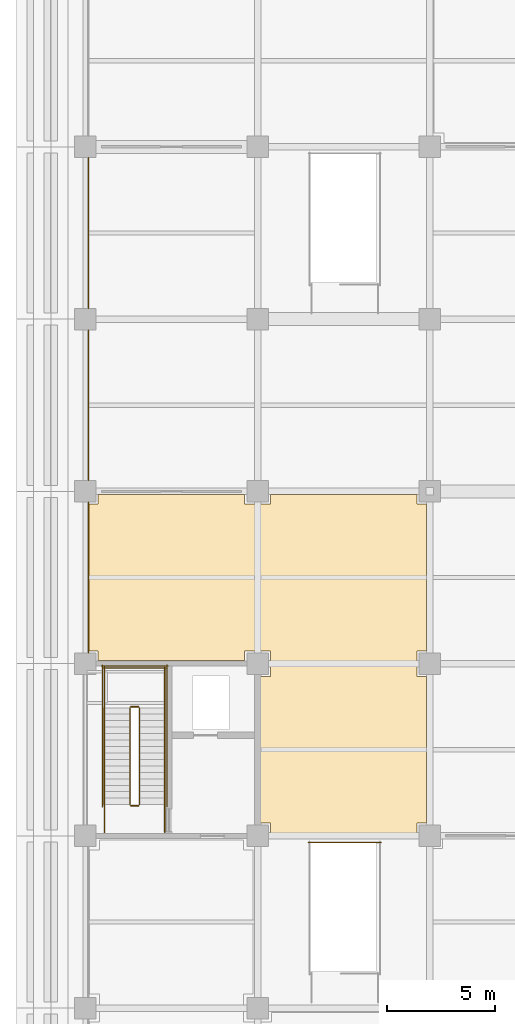
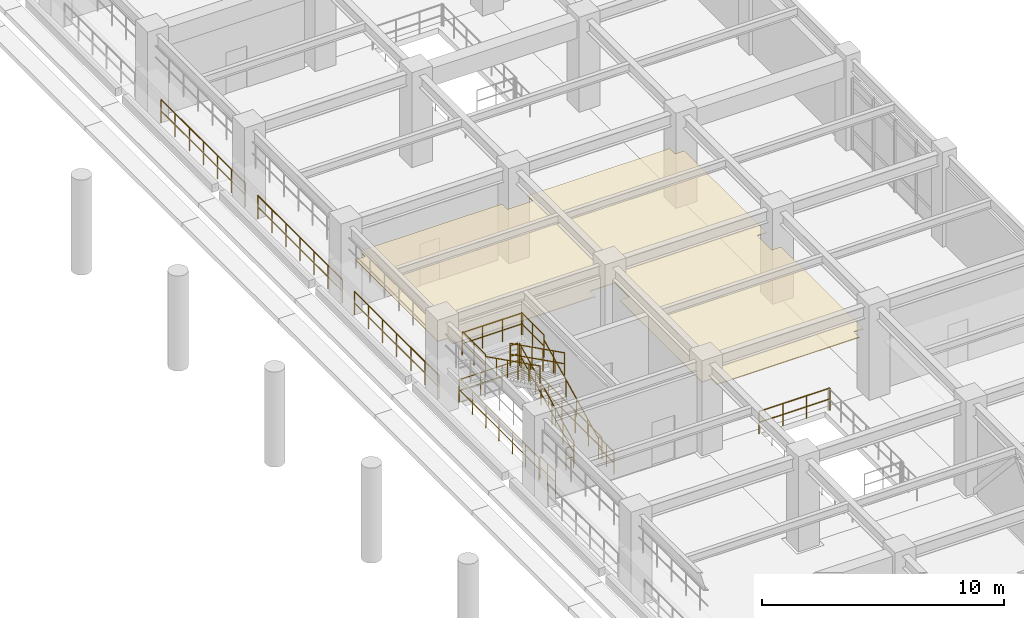
# One storey, part 108 of 117: 18 railings, 1 covering.
"""IFC4 building model written with IfcOpenShell, lengths in metres."""

from ifc_helpers import new_model, si_unit, direction, frame, origin, origin_2d, place, context, subcontext, project, spatial, polyline, circle, outline, extrude, material, layer, layer_set, type_object, element, save


model = new_model("IFC4")

# Units and contexts
model_context = context("Model", 3, precision=1e-05, world=origin(), true_north=direction((0.0, 1.0)))
body_context = subcontext(model_context, "Body", "Model", "MODEL_VIEW")
ifc_project = project(units=[si_unit("LENGTHUNIT", "METRE"), si_unit("AREAUNIT", "SQUARE_METRE"), si_unit("VOLUMEUNIT", "CUBIC_METRE"), si_unit("PLANEANGLEUNIT", "RADIAN"), si_unit("MASSUNIT", "GRAM", prefix="KILO")], contexts=[model_context])

# Site, building, storey
site_placement = place(None, origin())
site = spatial("IfcSite", under=ifc_project, at=site_placement, CompositionType="ELEMENT")
building_placement = place(site_placement, origin())
building = spatial("IfcBuilding", under=site, at=building_placement, Name="Haebicheon Civic Stadium", CompositionType="ELEMENT")
storey_placement = place(building_placement, frame((0.0, 0.0, 4.800048828125)))
storey = spatial("IfcBuildingStorey", under=building, at=storey_placement, Name="L02", CompositionType="ELEMENT", Elevation=4.800048828125)

# Covering
ifc_material_1 = material(Name="Perforated mineral-fibre acoustic board", Category="gypsum")
ifc_layer = layer(ifc_material_1, 0.0400390625, Name="Perforated mineral-fibre acoustic board")
ifc_layer_set = layer_set([ifc_layer], Name="Perforated mineral-fibre acoustic board")
covering_type = type_object("IfcCoveringType", Name="COV-CLG-AC", PredefinedType="CEILING", material=ifc_layer_set)
covering_placement = place(storey_placement, frame((0.0, 0.0, 2.81005859375)))
element("IfcCovering", 1, at=covering_placement, inside=storey, type_object=covering_type, material=ifc_layer_set, Name="L02 Food and Beverage Kiosk acoustic ceiling", PredefinedType="CEILING", context=body_context, shape_type="SweptSolid", body=[
    extrude(outline(polyline([(152.594970703125, 64.14501953125), (152.594970703125, 64.594970703125), (152.14501953125, 64.594970703125), (152.14501953125, 71.405029296875), (152.594970703125, 71.405029296875), (152.594970703125, 72.594970703125), (151.405029296875, 72.594970703125), (151.405029296875, 72.14501953125), (144.594970703125, 72.14501953125), (144.594970703125, 72.594970703125), (144.14501953125, 72.594970703125), (144.14501953125, 79.405029296875), (144.594970703125, 79.405029296875), (144.594970703125, 79.85498046875), (151.405029296875, 79.85498046875), (151.405029296875, 79.405029296875), (152.594970703125, 79.405029296875), (152.594970703125, 79.85498046875), (159.405029296875, 79.85498046875), (159.405029296875, 79.405029296875), (159.85498046875, 79.405029296875), (159.85498046875, 72.594970703125), (159.405029296875, 72.594970703125), (159.405029296875, 71.405029296875), (159.85498046875, 71.405029296875), (159.85498046875, 64.594970703125), (159.405029296875, 64.594970703125), (159.405029296875, 64.14501953125), (152.594970703125, 64.14501953125)])), origin(), (0.0, 0.0, 1.0), 0.039794921875),
])

# Railings
ifc_material_2 = material(Name="Stainless steel 316 and laminated glass", Category="steel")
railing_type_1 = type_object("IfcRailingType", Name="RL-BAL-1200", PredefinedType="BALUSTRADE", material=ifc_material_2)
for number, where, name in (
    (2, (144.139892578125, 72.5, 0.0), "L02 concourse bowl-edge balustrade 026"),
    (3, (144.139892578125, 80.5, 0.0), "L02 concourse bowl-edge balustrade 027"),
    (4, (144.139892578125, 88.5, 0.0), "L02 concourse bowl-edge balustrade 028"),
):
    element("IfcRailing", number, at=place(storey_placement, frame(where)), inside=storey, type_object=railing_type_1, material=ifc_material_2, Name=name, PredefinedType="BALUSTRADE", context=body_context, shape_type="SweptSolid", body=[
        extrude(circle(Radius=0.02392578125, at=origin_2d()), frame((0.0, 0.0, 1.17578125), z_axis=(0.0, 1.0, 0.0), x_axis=(-1.0, 0.0, 0.0)), (0.0, 0.0, 1.0), 7.0),
        extrude(circle(Radius=0.02392578125, at=origin_2d()), frame((0.0, 0.0, 0.60009765625), z_axis=(0.0, 1.0, 0.0), x_axis=(-1.0, 0.0, 0.0)), (0.0, 0.0, 1.0), 7.0),
        extrude(circle(Radius=0.02099609375, at=origin_2d()), origin(), (0.0, 0.0, 1.0), 1.15185546875),
        extrude(circle(Radius=0.02099609375, at=origin_2d()), frame((0.0, 1.166748046875, 0.0)), (0.0, 0.0, 1.0), 1.15185546875),
        extrude(circle(Radius=0.02099609375, at=origin_2d()), frame((0.0, 2.333251953125, 0.0)), (0.0, 0.0, 1.0), 1.15185546875),
        extrude(circle(Radius=0.02099609375, at=origin_2d()), frame((0.0, 3.5, 0.0)), (0.0, 0.0, 1.0), 1.15185546875),
        extrude(circle(Radius=0.02099609375, at=origin_2d()), frame((0.0, 4.666748046875, 0.0)), (0.0, 0.0, 1.0), 1.15185546875),
        extrude(circle(Radius=0.02099609375, at=origin_2d()), frame((0.0, 5.833251953125, 0.0)), (0.0, 0.0, 1.0), 1.15185546875),
        extrude(circle(Radius=0.02099609375, at=origin_2d()), frame((0.0, 7.0, 0.0)), (0.0, 0.0, 1.0), 1.15185546875),
    ])
ifc_material_3 = material(Name="Galvanised painted steel SM355", Category="steel")
railing_type_2 = type_object("IfcRailingType", Name="RL-GRD-1150", PredefinedType="GUARDRAIL", material=ifc_material_3)
railing_1_placement = place(storey_placement, frame((146.510009765625, 65.449951171875, 0.14990234375)))
element("IfcRailing", 5, at=railing_1_placement, inside=storey, type_object=railing_type_2, material=ifc_material_3, Name="L02 ST-10 stair guard 1", PredefinedType="GUARDRAIL", context=body_context, shape_type="SweptSolid", body=[
    extrude(circle(Radius=0.02392578125, at=origin_2d()), frame((0.0, 0.0, 1.1259765625), z_axis=(0.0, 0.894427191, 0.4472135955), x_axis=(-1.0, 0.0, 0.0)), (0.0, 0.0, 1.0), 5.03125),
    extrude(circle(Radius=0.02392578125, at=origin_2d()), frame((0.0, 0.0, 0.574951171875), z_axis=(0.0, 0.894427191, 0.4472135955), x_axis=(-1.0, 0.0, 0.0)), (0.0, 0.0, 1.0), 5.03125),
    extrude(circle(Radius=0.02099609375, at=origin_2d()), origin(), (0.0, 0.0, 1.0), 1.101806640625),
    extrude(circle(Radius=0.02099609375, at=origin_2d()), frame((0.0, 0.89990234375, 0.449951171875)), (0.0, 0.0, 1.0), 1.101806640625),
    extrude(circle(Radius=0.02099609375, at=origin_2d()), frame((0.0, 1.800048828125, 0.89990234375)), (0.0, 0.0, 1.0), 1.101806640625),
    extrude(circle(Radius=0.02099609375, at=origin_2d()), frame((0.0, 2.699951171875, 1.35009765625)), (0.0, 0.0, 1.0), 1.101806640625),
    extrude(circle(Radius=0.02099609375, at=origin_2d()), frame((0.0, 3.60009765625, 1.800048828125)), (0.0, 0.0, 1.0), 1.101806640625),
    extrude(circle(Radius=0.02099609375, at=origin_2d()), frame((0.0, 4.5, 2.25)), (0.0, 0.0, 1.0), 1.101806640625),
])
railing_2_placement = place(storey_placement, frame((146.4599609375, 70.0, 2.39990234375)))
element("IfcRailing", 6, at=railing_2_placement, inside=storey, type_object=railing_type_2, material=ifc_material_3, Name="L02 ST-10 stair guard 2", PredefinedType="GUARDRAIL", context=body_context, shape_type="SweptSolid", body=[
    extrude(circle(Radius=0.02392578125, at=origin_2d()), frame((0.0, 0.0, 1.1259765625), z_axis=(-1.0, 0.0, 0.0), x_axis=(0.0, -1.0, 0.0)), (0.0, 0.0, 1.0), 0.33984375),
    extrude(circle(Radius=0.02392578125, at=origin_2d()), frame((0.0, 0.0, 0.574951171875), z_axis=(-1.0, 0.0, 0.0), x_axis=(0.0, -1.0, 0.0)), (0.0, 0.0, 1.0), 0.33984375),
    extrude(circle(Radius=0.02099609375, at=origin_2d()), origin(), (0.0, 0.0, 1.0), 1.101806640625),
    extrude(circle(Radius=0.02099609375, at=origin_2d()), frame((-0.33984375, 0.0, 0.0)), (0.0, 0.0, 1.0), 1.101806640625),
])
for number, where, name in (
    (7, (147.68994140625, 69.949951171875, 2.39990234375), "L02 ST-10 stair guard 3"),
    (8, (144.889892578125, 69.949951171875, 2.39990234375), "L02 ST-10 stair guard 4"),
):
    element("IfcRailing", number, at=place(storey_placement, frame(where)), inside=storey, type_object=railing_type_2, material=ifc_material_3, Name=name, PredefinedType="GUARDRAIL", context=body_context, shape_type="SweptSolid", body=[
        extrude(circle(Radius=0.02392578125, at=origin_2d()), frame((0.0, 0.0, 1.1259765625), z_axis=(0.0, 1.0, 0.0), x_axis=(-1.0, 0.0, 0.0)), (0.0, 0.0, 1.0), 1.89013671875),
        extrude(circle(Radius=0.02392578125, at=origin_2d()), frame((0.0, 0.0, 0.574951171875), z_axis=(0.0, 1.0, 0.0), x_axis=(-1.0, 0.0, 0.0)), (0.0, 0.0, 1.0), 1.89013671875),
        extrude(circle(Radius=0.02099609375, at=origin_2d()), origin(), (0.0, 0.0, 1.0), 1.101806640625),
        extrude(circle(Radius=0.02099609375, at=origin_2d()), frame((0.0, 0.945068359375, 0.0)), (0.0, 0.0, 1.0), 1.101806640625),
        extrude(circle(Radius=0.02099609375, at=origin_2d()), frame((0.0, 1.89013671875, 0.0)), (0.0, 0.0, 1.0), 1.101806640625),
    ])
railing_3_placement = place(storey_placement, frame((147.739990234375, 71.7900390625, 2.39990234375)))
element("IfcRailing", 9, at=railing_3_placement, inside=storey, type_object=railing_type_2, material=ifc_material_3, Name="L02 ST-10 stair guard 5", PredefinedType="GUARDRAIL", context=body_context, shape_type="SweptSolid", body=[
    extrude(circle(Radius=0.02392578125, at=origin_2d()), frame((0.0, 0.0, 1.1259765625), z_axis=(-1.0, 0.0, 0.0), x_axis=(0.0, -1.0, 0.0)), (0.0, 0.0, 1.0), 2.89990234375),
    extrude(circle(Radius=0.02392578125, at=origin_2d()), frame((0.0, 0.0, 0.574951171875), z_axis=(-1.0, 0.0, 0.0), x_axis=(0.0, -1.0, 0.0)), (0.0, 0.0, 1.0), 2.89990234375),
    extrude(circle(Radius=0.02099609375, at=origin_2d()), origin(), (0.0, 0.0, 1.0), 1.101806640625),
    extrude(circle(Radius=0.02099609375, at=origin_2d()), frame((-0.966552734375, 0.0, 0.0)), (0.0, 0.0, 1.0), 1.101806640625),
    extrude(circle(Radius=0.02099609375, at=origin_2d()), frame((-1.933349609375, 0.0, 0.0)), (0.0, 0.0, 1.0), 1.101806640625),
    extrude(circle(Radius=0.02099609375, at=origin_2d()), frame((-2.89990234375, 0.0, 0.0)), (0.0, 0.0, 1.0), 1.101806640625),
])
railing_4_placement = place(storey_placement, frame((146.070068359375, 69.949951171875, 2.550048828125)))
element("IfcRailing", 10, at=railing_4_placement, inside=storey, type_object=railing_type_2, material=ifc_material_3, Name="L02 ST-10 stair guard 6", PredefinedType="GUARDRAIL", context=body_context, shape_type="SweptSolid", body=[
    extrude(circle(Radius=0.02392578125, at=origin_2d()), frame((0.0, 0.0, 1.1259765625), z_axis=(0.0, -0.894427191, 0.4472135955), x_axis=(1.0, 0.0, 0.0)), (0.0, 0.0, 1.0), 5.03125),
    extrude(circle(Radius=0.02392578125, at=origin_2d()), frame((0.0, 0.0, 0.574951171875), z_axis=(0.0, -0.894427191, 0.4472135955), x_axis=(1.0, 0.0, 0.0)), (0.0, 0.0, 1.0), 5.03125),
    extrude(circle(Radius=0.02099609375, at=origin_2d()), origin(), (0.0, 0.0, 1.0), 1.101806640625),
    extrude(circle(Radius=0.02099609375, at=origin_2d()), frame((0.0, -0.89990234375, 0.449951171875)), (0.0, 0.0, 1.0), 1.101806640625),
    extrude(circle(Radius=0.02099609375, at=origin_2d()), frame((0.0, -1.800048828125, 0.89990234375)), (0.0, 0.0, 1.0), 1.101806640625),
    extrude(circle(Radius=0.02099609375, at=origin_2d()), frame((0.0, -2.699951171875, 1.35009765625)), (0.0, 0.0, 1.0), 1.101806640625),
    extrude(circle(Radius=0.02099609375, at=origin_2d()), frame((0.0, -3.60009765625, 1.800048828125)), (0.0, 0.0, 1.0), 1.101806640625),
    extrude(circle(Radius=0.02099609375, at=origin_2d()), frame((0.0, -4.5, 2.25)), (0.0, 0.0, 1.0), 1.101806640625),
])
railing_5_placement = place(storey_placement, frame((146.4599609375, 65.39990234375, 0.0)))
element("IfcRailing", 11, at=railing_5_placement, inside=storey, type_object=railing_type_2, material=ifc_material_3, Name="L02 ST-10 stair guard 7", PredefinedType="GUARDRAIL", context=body_context, shape_type="SweptSolid", body=[
    extrude(circle(Radius=0.02392578125, at=origin_2d()), frame((0.0, 0.0, 1.1259765625), z_axis=(-1.0, 0.0, 0.0), x_axis=(0.0, -1.0, 0.0)), (0.0, 0.0, 1.0), 0.33984375),
    extrude(circle(Radius=0.02392578125, at=origin_2d()), frame((0.0, 0.0, 0.574951171875), z_axis=(-1.0, 0.0, 0.0), x_axis=(0.0, -1.0, 0.0)), (0.0, 0.0, 1.0), 0.33984375),
    extrude(circle(Radius=0.02099609375, at=origin_2d()), origin(), (0.0, 0.0, 1.0), 1.101806640625),
    extrude(circle(Radius=0.02099609375, at=origin_2d()), frame((-0.33984375, 0.0, 0.0)), (0.0, 0.0, 1.0), 1.101806640625),
])
for number, where, name in (
    (12, (147.68994140625, 64.159912109375, 0.0), "L02 ST-10 stair guard 8"),
    (13, (144.889892578125, 64.159912109375, 0.0), "L02 ST-10 stair guard 9"),
):
    element("IfcRailing", number, at=place(storey_placement, frame(where)), inside=storey, type_object=railing_type_2, material=ifc_material_3, Name=name, PredefinedType="GUARDRAIL", context=body_context, shape_type="SweptSolid", body=[
        extrude(circle(Radius=0.02392578125, at=origin_2d()), frame((0.0, 0.0, 1.1259765625), z_axis=(0.0, 1.0, 0.0), x_axis=(-1.0, 0.0, 0.0)), (0.0, 0.0, 1.0), 1.2900390625),
        extrude(circle(Radius=0.02392578125, at=origin_2d()), frame((0.0, 0.0, 0.574951171875), z_axis=(0.0, 1.0, 0.0), x_axis=(-1.0, 0.0, 0.0)), (0.0, 0.0, 1.0), 1.2900390625),
        extrude(circle(Radius=0.02099609375, at=origin_2d()), origin(), (0.0, 0.0, 1.0), 1.101806640625),
        extrude(circle(Radius=0.02099609375, at=origin_2d()), frame((0.0, 0.64501953125, 0.0)), (0.0, 0.0, 1.0), 1.101806640625),
        extrude(circle(Radius=0.02099609375, at=origin_2d()), frame((0.0, 1.2900390625, 0.0)), (0.0, 0.0, 1.0), 1.101806640625),
    ])
for number, where, name in (
    (14, (147.7900390625, 65.35009765625, 0.0), "L02 ST-10 stair guard 10"),
    (15, (144.7900390625, 65.35009765625, 0.0), "L02 ST-10 stair guard 11"),
):
    element("IfcRailing", number, at=place(storey_placement, frame(where)), inside=storey, type_object=railing_type_2, material=ifc_material_3, Name=name, PredefinedType="GUARDRAIL", context=body_context, shape_type="SweptSolid", body=[
        extrude(circle(Radius=0.02392578125, at=origin_2d()), frame((0.0, 0.0, 1.1259765625), z_axis=(0.0, 1.0, 0.0), x_axis=(-1.0, 0.0, 0.0)), (0.0, 0.0, 1.0), 6.58984375),
        extrude(circle(Radius=0.02392578125, at=origin_2d()), frame((0.0, 0.0, 0.574951171875), z_axis=(0.0, 1.0, 0.0), x_axis=(-1.0, 0.0, 0.0)), (0.0, 0.0, 1.0), 6.58984375),
        extrude(circle(Radius=0.02099609375, at=origin_2d()), origin(), (0.0, 0.0, 1.0), 1.101806640625),
        extrude(circle(Radius=0.02099609375, at=origin_2d()), frame((0.0, 1.098388671875, 0.0)), (0.0, 0.0, 1.0), 1.101806640625),
        extrude(circle(Radius=0.02099609375, at=origin_2d()), frame((0.0, 2.196533203125, 0.0)), (0.0, 0.0, 1.0), 1.101806640625),
        extrude(circle(Radius=0.02099609375, at=origin_2d()), frame((0.0, 3.294921875, 0.0)), (0.0, 0.0, 1.0), 1.101806640625),
        extrude(circle(Radius=0.02099609375, at=origin_2d()), frame((0.0, 4.393310546875, 0.0)), (0.0, 0.0, 1.0), 1.101806640625),
        extrude(circle(Radius=0.02099609375, at=origin_2d()), frame((0.0, 5.491455078125, 0.0)), (0.0, 0.0, 1.0), 1.101806640625),
        extrude(circle(Radius=0.02099609375, at=origin_2d()), frame((0.0, 6.58984375, 0.0)), (0.0, 0.0, 1.0), 1.101806640625),
    ])
railing_6_placement = place(storey_placement, frame((147.840087890625, 71.889892578125, 0.0)))
element("IfcRailing", 16, at=railing_6_placement, inside=storey, type_object=railing_type_2, material=ifc_material_3, Name="L02 ST-10 stair guard 12", PredefinedType="GUARDRAIL", context=body_context, shape_type="SweptSolid", body=[
    extrude(circle(Radius=0.02392578125, at=origin_2d()), frame((0.0, 0.0, 1.1259765625), z_axis=(-1.0, 0.0, 0.0), x_axis=(0.0, -1.0, 0.0)), (0.0, 0.0, 1.0), 3.10009765625),
    extrude(circle(Radius=0.02392578125, at=origin_2d()), frame((0.0, 0.0, 0.574951171875), z_axis=(-1.0, 0.0, 0.0), x_axis=(0.0, -1.0, 0.0)), (0.0, 0.0, 1.0), 3.10009765625),
    extrude(circle(Radius=0.02099609375, at=origin_2d()), origin(), (0.0, 0.0, 1.0), 1.101806640625),
    extrude(circle(Radius=0.02099609375, at=origin_2d()), frame((-1.033447265625, 0.0, 0.0)), (0.0, 0.0, 1.0), 1.101806640625),
    extrude(circle(Radius=0.02099609375, at=origin_2d()), frame((-2.066650390625, 0.0, 0.0)), (0.0, 0.0, 1.0), 1.101806640625),
    extrude(circle(Radius=0.02099609375, at=origin_2d()), frame((-3.10009765625, 0.0, 0.0)), (0.0, 0.0, 1.0), 1.101806640625),
])
railing_7_placement = place(storey_placement, frame((157.739990234375, 63.699951171875, 0.0)))
element("IfcRailing", 17, at=railing_7_placement, inside=storey, type_object=railing_type_2, material=ifc_material_3, Name="L02 VM-06 top well guard 4", PredefinedType="GUARDRAIL", context=body_context, shape_type="SweptSolid", body=[
    extrude(circle(Radius=0.02392578125, at=origin_2d()), frame((0.0, 0.0, 1.1259765625), z_axis=(-1.0, 0.0, 0.0), x_axis=(0.0, -1.0, 0.0)), (0.0, 0.0, 1.0), 3.3798828125),
    extrude(circle(Radius=0.02392578125, at=origin_2d()), frame((0.0, 0.0, 0.574951171875), z_axis=(-1.0, 0.0, 0.0), x_axis=(0.0, -1.0, 0.0)), (0.0, 0.0, 1.0), 3.3798828125),
    extrude(circle(Radius=0.02099609375, at=origin_2d()), origin(), (0.0, 0.0, 1.0), 1.101806640625),
    extrude(circle(Radius=0.02099609375, at=origin_2d()), frame((-1.126708984375, 0.0, 0.0)), (0.0, 0.0, 1.0), 1.101806640625),
    extrude(circle(Radius=0.02099609375, at=origin_2d()), frame((-2.253173828125, 0.0, 0.0)), (0.0, 0.0, 1.0), 1.101806640625),
    extrude(circle(Radius=0.02099609375, at=origin_2d()), frame((-3.3798828125, 0.0, 0.0)), (0.0, 0.0, 1.0), 1.101806640625),
])
ifc_material_4 = material(Name="Stainless steel 316", Category="steel")
railing_type_3 = type_object("IfcRailingType", Name="RL-HND-900", PredefinedType="HANDRAIL", material=ifc_material_4)
railing_8_placement = place(storey_placement, frame((147.68994140625, 65.449951171875, 0.14990234375)))
element("IfcRailing", 18, at=railing_8_placement, inside=storey, type_object=railing_type_3, material=ifc_material_4, Name="L02 ST-10 stair handrail 1", PredefinedType="HANDRAIL", context=body_context, shape_type="SweptSolid", body=[
    extrude(circle(Radius=0.02392578125, at=origin_2d()), frame((0.0, 0.0, 0.8759765625), z_axis=(0.0, 0.894427191, 0.4472135955), x_axis=(-1.0, 0.0, 0.0)), (0.0, 0.0, 1.0), 5.03125),
    extrude(circle(Radius=0.02099609375, at=origin_2d()), origin(), (0.0, 0.0, 1.0), 0.851806640625),
    extrude(circle(Radius=0.02099609375, at=origin_2d()), frame((0.0, 0.89990234375, 0.449951171875)), (0.0, 0.0, 1.0), 0.851806640625),
    extrude(circle(Radius=0.02099609375, at=origin_2d()), frame((0.0, 1.800048828125, 0.89990234375)), (0.0, 0.0, 1.0), 0.851806640625),
    extrude(circle(Radius=0.02099609375, at=origin_2d()), frame((0.0, 2.699951171875, 1.35009765625)), (0.0, 0.0, 1.0), 0.851806640625),
    extrude(circle(Radius=0.02099609375, at=origin_2d()), frame((0.0, 3.60009765625, 1.800048828125)), (0.0, 0.0, 1.0), 0.851806640625),
    extrude(circle(Radius=0.02099609375, at=origin_2d()), frame((0.0, 4.5, 2.25)), (0.0, 0.0, 1.0), 0.851806640625),
])
railing_9_placement = place(storey_placement, frame((144.889892578125, 69.949951171875, 2.550048828125)))
element("IfcRailing", 19, at=railing_9_placement, inside=storey, type_object=railing_type_3, material=ifc_material_4, Name="L02 ST-10 stair handrail 2", PredefinedType="HANDRAIL", context=body_context, shape_type="SweptSolid", body=[
    extrude(circle(Radius=0.02392578125, at=origin_2d()), frame((0.0, 0.0, 0.8759765625), z_axis=(0.0, -0.894427191, 0.4472135955), x_axis=(1.0, 0.0, 0.0)), (0.0, 0.0, 1.0), 5.03125),
    extrude(circle(Radius=0.02099609375, at=origin_2d()), origin(), (0.0, 0.0, 1.0), 0.851806640625),
    extrude(circle(Radius=0.02099609375, at=origin_2d()), frame((0.0, -0.89990234375, 0.449951171875)), (0.0, 0.0, 1.0), 0.851806640625),
    extrude(circle(Radius=0.02099609375, at=origin_2d()), frame((0.0, -1.800048828125, 0.89990234375)), (0.0, 0.0, 1.0), 0.851806640625),
    extrude(circle(Radius=0.02099609375, at=origin_2d()), frame((0.0, -2.699951171875, 1.35009765625)), (0.0, 0.0, 1.0), 0.851806640625),
    extrude(circle(Radius=0.02099609375, at=origin_2d()), frame((0.0, -3.60009765625, 1.800048828125)), (0.0, 0.0, 1.0), 0.851806640625),
    extrude(circle(Radius=0.02099609375, at=origin_2d()), frame((0.0, -4.5, 2.25)), (0.0, 0.0, 1.0), 0.851806640625),
])

save(model, "model.ifc")
